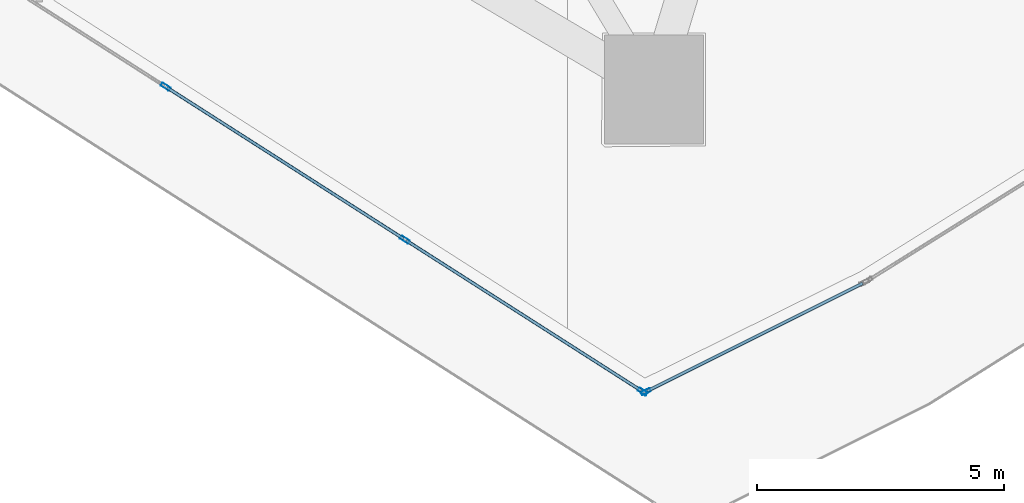
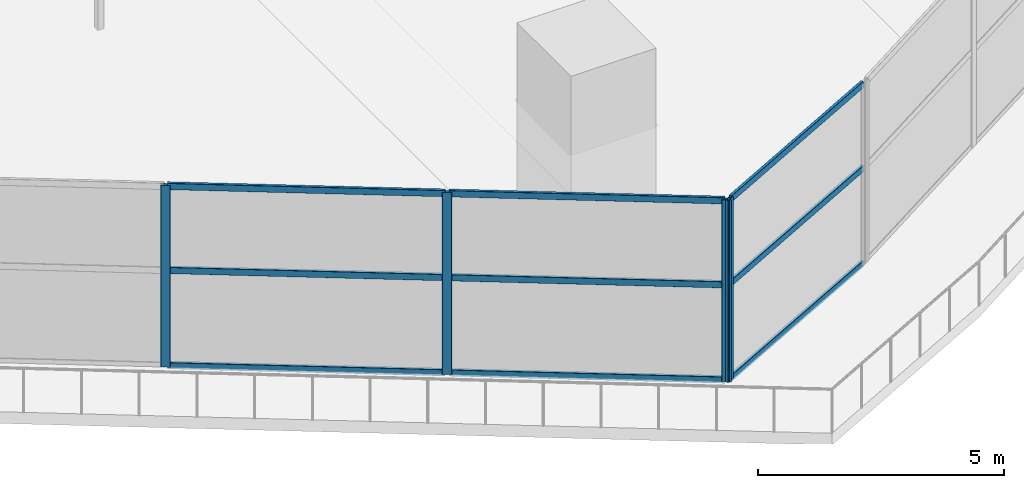
# One storey, part 5 of 42: 13 members, 2 elements without a shape of their own.
"""IFC4 building model written with IfcOpenShell, lengths in metres."""

import ifcopenshell
import ifcopenshell.guid

model = None  # the IFC model being written
_history = None  # IfcOwnerHistory: only IFC2X3 demands one
_inside = {}  # id of a spatial element -> (the spatial element, [elements in it])
_under = {}  # id of a project, library or spatial element -> (it, [spatial elements below it])
_declared = {}  # id of a project -> (the project, [libraries it declares])
_typed = {}  # id of a type object -> (the type object, [elements of that type])
_made_of = {}  # id of a material, layer set ... -> (it, [elements and type objects made of it])


def new_model(schema):
    """Start an empty IFC model of exactly this schema.

    Asked for "IFC4X3", IfcOpenShell would pick the latest addendum, in which some entities
    have other attributes; the version numbers below select the first issue.
    IFC2X3 requires an IfcOwnerHistory on every rooted entity: one is made here for all.
    """
    global model, _history
    if schema == "IFC4X3":
        model = ifcopenshell.file(schema_version=(4, 3, 0, 0))
    else:
        model = ifcopenshell.file(schema=schema)
    _inside.clear()
    _under.clear()
    _declared.clear()
    _typed.clear()
    _made_of.clear()
    _history = None
    if model.schema == "IFC2X3":
        org = make("IfcOrganization", Name="unknown")
        user = make(
            "IfcPersonAndOrganization",
            ThePerson=make("IfcPerson", FamilyName="unknown"),
            TheOrganization=org,
        )
        app = make(
            "IfcApplication",
            ApplicationDeveloper=org,
            Version="unknown",
            ApplicationFullName="unknown",
            ApplicationIdentifier="unknown",
        )
        _history = make(
            "IfcOwnerHistory",
            OwningUser=user,
            OwningApplication=app,
            ChangeAction="ADDED",
            CreationDate=0,
        )
    return model


def make(cls, **values):
    """One entity of the class cls with the attributes given. An attribute that is None is left unset."""
    return model.create_entity(
        cls, **{name: value for name, value in values.items() if value is not None}
    )


def rooted(cls, **values):
    """An entity with a GlobalId (a new one), such as an element, a storey or a relation."""
    return make(cls, GlobalId=ifcopenshell.guid.new(), OwnerHistory=_history, **values)


def si_unit(unit_type, name, prefix=None):
    """IfcSIUnit, for example si_unit("LENGTHUNIT", "METRE", prefix="MILLI")."""
    return make("IfcSIUnit", UnitType=unit_type, Prefix=prefix, Name=name)


def assignment(units):
    """IfcUnitAssignment: the units of a project."""
    return None if units is None else make("IfcUnitAssignment", Units=units)


def point(xyz):
    """IfcCartesianPoint."""
    return None if xyz is None else make("IfcCartesianPoint", Coordinates=xyz)


def direction(xyz):
    """IfcDirection."""
    return None if xyz is None else make("IfcDirection", DirectionRatios=xyz)


def frame(location, z_axis=None, x_axis=None):
    """IfcAxis2Placement3D, a coordinate frame: its origin and axes. An axis left out is left unset."""
    return make(
        "IfcAxis2Placement3D",
        Location=point(location),
        Axis=direction(z_axis),
        RefDirection=direction(x_axis),
    )


def frame_2d(location, x_axis=None):
    """IfcAxis2Placement2D, a coordinate frame in the plane: its origin and x axis."""
    return make(
        "IfcAxis2Placement2D", Location=point(location), RefDirection=direction(x_axis)
    )


def origin():
    """The frame at (0, 0, 0) with its axes left unset."""
    return frame((0.0, 0.0, 0.0))


def origin_2d():
    """The frame at (0, 0) in the plane with its x axis left unset."""
    return frame_2d((0.0, 0.0))


def place(relative_to, where):
    """IfcLocalPlacement: puts the frame where relative to a parent placement (None: the world)."""
    return make(
        "IfcLocalPlacement", PlacementRelTo=relative_to, RelativePlacement=where
    )


def context(
    kind, dimensions, precision=None, world=None, true_north=None, identifier=None
):
    """IfcGeometricRepresentationContext, for example the 3D "Model" context."""
    return make(
        "IfcGeometricRepresentationContext",
        ContextIdentifier=identifier,
        ContextType=kind,
        CoordinateSpaceDimension=dimensions,
        Precision=precision,
        WorldCoordinateSystem=world,
        TrueNorth=true_north,
    )


def subcontext(parent, identifier, kind, view, scale=None):
    """IfcGeometricRepresentationSubContext, for example "Body" below "Model"."""
    return make(
        "IfcGeometricRepresentationSubContext",
        ContextIdentifier=identifier,
        ContextType=kind,
        ParentContext=parent,
        TargetScale=scale,
        TargetView=view,
    )


def project(units=None, contexts=None):
    """IfcProject with its units and contexts."""
    return rooted(
        "IfcProject",
        Name="project",
        RepresentationContexts=contexts,
        UnitsInContext=assignment(units),
    )


def spatial(cls, under=None, at=None, **own):
    """A site, building, storey or space (cls), placed at a placement, below another one or the project."""
    s = rooted(cls, ObjectPlacement=at, **own)
    if under is not None:
        _under.setdefault(under.id(), (under, []))[1].append(s)
    return s


def profile(cls, at=None, kind="AREA", **sizes):
    """A parametric profile (cls). Its sizes go by their IFC names, for example OverallWidth=200.0."""
    return make(cls, ProfileType=kind, Position=at, **sizes)


def hollow_rectangle(**sizes):
    """IfcRectangleHollowProfileDef."""
    return profile("IfcRectangleHollowProfileDef", **sizes)


def extrude(swept, where, along, depth):
    """IfcExtrudedAreaSolid: the profile swept, set in the frame where, extruded along a direction by depth."""
    return make(
        "IfcExtrudedAreaSolid",
        SweptArea=swept,
        Position=where,
        ExtrudedDirection=direction(along),
        Depth=depth,
    )


def shape(context_of_items, identifier, shape_type, items):
    """IfcShapeRepresentation: the items that make up one representation, for example the "Body"."""
    return make(
        "IfcShapeRepresentation",
        ContextOfItems=context_of_items,
        RepresentationIdentifier=identifier,
        RepresentationType=shape_type,
        Items=items,
    )


def material(Name=None, Category=None):
    """IfcMaterial."""
    return make("IfcMaterial", Name=Name, Category=Category)


def layer(
    of_material, thickness, ventilated=None, Name=None, Category=None, Priority=None
):
    """IfcMaterialLayer: one layer of a wall or slab, of a material (None: an air gap)."""
    return make(
        "IfcMaterialLayer",
        Material=of_material,
        LayerThickness=thickness,
        IsVentilated=ventilated,
        Name=Name,
        Category=Category,
        Priority=Priority,
    )


def layer_set(layers, Name=None):
    """IfcMaterialLayerSet."""
    return make("IfcMaterialLayerSet", MaterialLayers=layers, LayerSetName=Name)


def material_profile(
    of_material, cross_section, Name=None, Category=None, Priority=None
):
    """IfcMaterialProfile: a cross section and its material."""
    return make(
        "IfcMaterialProfile",
        Name=Name,
        Material=of_material,
        Profile=cross_section,
        Priority=Priority,
        Category=Category,
    )


def profile_set(profiles, Name=None, composite=None):
    """IfcMaterialProfileSet."""
    return make(
        "IfcMaterialProfileSet",
        Name=Name,
        MaterialProfiles=profiles,
        CompositeProfile=composite,
    )


def made_of(thing, what):
    """Note that an element or type object is made of a material, layer set ...; save() writes the relation."""
    if what is not None:
        _made_of.setdefault(what.id(), (what, []))[1].append(thing)
    return thing


def type_object(cls, material=None, **own):
    """A type object (cls), such as IfcWallType, which elements share."""
    return made_of(rooted(cls, **own), material)


def element(
    cls,
    number,
    at=None,
    inside=None,
    cuts=None,
    type_object=None,
    material=None,
    context=None,
    identifier="Body",
    shape_type=None,
    held_by="IfcProductDefinitionShape",
    body=None,
    shapes=None,
    **own,
):
    """One element of the class cls, such as IfcWall. Its Tag is "e" and its number.

    at: its placement. inside: the storey or other place that contains it. cuts: it is an
    opening in that element (IfcRelVoidsElement). A single representation is given by context,
    identifier, shape_type and body (its items); several are given by shapes. held_by: the class
    of the entity that holds the representations. save() writes the other relations.
    """
    e = rooted(cls, Tag="e%d" % number, ObjectPlacement=at, **own)
    if body is not None:
        shapes = [shape(context, identifier, shape_type, body)]
    if shapes is not None:
        e.Representation = make(held_by, Representations=shapes)
    if inside is not None:
        _inside.setdefault(inside.id(), (inside, []))[1].append(e)
    if cuts is not None:
        rooted(
            "IfcRelVoidsElement", RelatingBuildingElement=cuts, RelatedOpeningElement=e
        )
    if type_object is not None:
        _typed.setdefault(type_object.id(), (type_object, []))[1].append(e)
    return made_of(e, material)


def aggregate(whole, parts):
    """IfcRelAggregates: a whole, such as a stair, and the parts it consists of."""
    return rooted("IfcRelAggregates", RelatingObject=whole, RelatedObjects=parts)


def save(model, path):
    """Write the relations noted so far, then the file.

    IfcRelAggregates (storeys below a building ...), IfcRelContainedInSpatialStructure (elements
    in a storey), IfcRelDefinesByType, IfcRelAssociatesMaterial and IfcRelDeclares: one each for
    every whole, place, type object, material and project.
    """
    for whole, parts in _under.values():
        aggregate(whole, parts)
    for where, things in _inside.values():
        rooted(
            "IfcRelContainedInSpatialStructure",
            RelatedElements=things,
            RelatingStructure=where,
        )
    for kind, things in _typed.values():
        rooted("IfcRelDefinesByType", RelatedObjects=things, RelatingType=kind)
    for what, things in _made_of.values():
        rooted("IfcRelAssociatesMaterial", RelatedObjects=things, RelatingMaterial=what)
    for by, libraries in _declared.values():
        rooted("IfcRelDeclares", RelatingContext=by, RelatedDefinitions=libraries)
    model.write(path)


model = new_model("IFC4")

# Units and contexts
model_context = context("Model", 3, precision=1e-05, world=origin(), true_north=direction((0.0, 1.0)))
body_context = subcontext(model_context, "Body", "Model", "MODEL_VIEW")
ifc_project = project(units=[si_unit("LENGTHUNIT", "METRE"), si_unit("AREAUNIT", "SQUARE_METRE"), si_unit("VOLUMEUNIT", "CUBIC_METRE"), si_unit("PLANEANGLEUNIT", "RADIAN"), si_unit("MASSUNIT", "GRAM", prefix="KILO")], contexts=[model_context])

# Site, building, storey
site_placement = place(None, origin())
site = spatial("IfcSite", under=ifc_project, at=site_placement, CompositionType="ELEMENT")
building_placement = place(site_placement, origin())
building = spatial("IfcBuilding", under=site, at=building_placement, Name="Qorvath Tower", CompositionType="ELEMENT")
storey_placement = place(building_placement, frame((0.0, 0.0, 105.0)))
storey = spatial("IfcBuildingStorey", under=building, at=storey_placement, Name="L23", CompositionType="ELEMENT", Elevation=105.0)

# Curtain wall, members
ifc_material_1 = material(Name="Anodised aluminium and triple low-E glass", Category="aluminium")
ifc_layer = layer(ifc_material_1, 0.179931640625)
ifc_layer_set = layer_set([ifc_layer], Name="CW-SYS-5")
curtain_wall_type = type_object("IfcCurtainWallType", Name="CW-SYS-5", PredefinedType="NOTDEFINED", material=ifc_layer_set)
curtain_wall_1_placement = place(storey_placement, origin())
curtain_wall_1 = element("IfcCurtainWall", 1, at=curtain_wall_1_placement, inside=storey, type_object=curtain_wall_type, Name="Curtain Wall CW-5 CW-T-L23-2.2", PredefinedType="NOTDEFINED")
ifc_material_2 = material(Name="Anodised aluminium 6063-T6", Category="aluminium")
ifc_material_profile_1 = material_profile(ifc_material_2, hollow_rectangle(XDim=0.074951171875, YDim=0.199951171875, WallThickness=0.00390625, InnerFilletRadius=0.00390625, OuterFilletRadius=0.008056640625, at=origin_2d()), Name="CWM 200x75")
ifc_profile_set_1 = profile_set([ifc_material_profile_1], Name="Anodised aluminium 6063-T6")
member_type_1 = type_object("IfcMemberType", Name="CWM-200", PredefinedType="MULLION", material=ifc_profile_set_1)
member_1_placement = place(storey_placement, frame((-25.21240234375, -25.191162109375, 0.0), z_axis=(0.0, 0.0, 1.0), x_axis=(0.53854036508, 0.842599712307, 0.0)))
member_1 = element("IfcMember", 2, at=member_1_placement, type_object=member_type_1, Name="CW-5 mullion 3", PredefinedType="MULLION", context=body_context, shape_type="SweptSolid", body=[
    extrude(hollow_rectangle(XDim=0.074951171875, YDim=0.199951171875, WallThickness=0.00390625, InnerFilletRadius=0.00390625, OuterFilletRadius=0.008056640625, at=origin_2d()), origin(), (0.0, 0.0, 1.0), 4.52001953125),
])
member_2_placement = place(storey_placement, frame((-20.377685546875, -28.28125, 0.0), z_axis=(0.0, 0.0, 1.0), x_axis=(0.53854036508, 0.842599712307, 0.0)))
member_2 = element("IfcMember", 3, at=member_2_placement, type_object=member_type_1, Name="CW-5 mullion 4", PredefinedType="MULLION", context=body_context, shape_type="SweptSolid", body=[
    extrude(hollow_rectangle(XDim=0.074951171875, YDim=0.199951171875, WallThickness=0.00390625, InnerFilletRadius=0.00390625, OuterFilletRadius=0.008056640625, at=origin_2d()), origin(), (0.0, 0.0, 1.0), 4.52001953125),
])
member_3_placement = place(storey_placement, frame((-15.57470703125, -31.35107421875, 0.0), z_axis=(0.0, 0.0, 1.0), x_axis=(0.53854036508, 0.842599712307, 0.0)))
member_3 = element("IfcMember", 4, at=member_3_placement, type_object=member_type_1, Name="CW-5 mullion 5", PredefinedType="MULLION", context=body_context, shape_type="SweptSolid", body=[
    extrude(hollow_rectangle(XDim=0.074951171875, YDim=0.199951171875, WallThickness=0.00390625, InnerFilletRadius=0.00390625, OuterFilletRadius=0.008056640625, at=origin_2d()), origin(), (0.0, 0.0, 1.0), 4.52001953125),
])

# Curtain wall, member
curtain_wall_2_placement = place(storey_placement, origin())
curtain_wall_2 = element("IfcCurtainWall", 5, at=curtain_wall_2_placement, inside=storey, type_object=curtain_wall_type, Name="Curtain Wall CW-5 CW-T-L23-3.1", PredefinedType="NOTDEFINED")
member_4_placement = place(storey_placement, frame((-15.509521484375, -31.3544921875, 0.0), z_axis=(0.0, 0.0, 1.0), x_axis=(-0.447189646231, 0.894439165234, 0.0)))
member_4 = element("IfcMember", 6, at=member_4_placement, type_object=member_type_1, Name="CW-5 mullion 1", PredefinedType="MULLION", context=body_context, shape_type="SweptSolid", body=[
    extrude(hollow_rectangle(XDim=0.074951171875, YDim=0.199951171875, WallThickness=0.00390625, InnerFilletRadius=0.00390625, OuterFilletRadius=0.008056640625, at=origin_2d()), origin(), (0.0, 0.0, 1.0), 4.52001953125),
])

# Member
ifc_material_3 = material(Name="Anodised aluminium 6063-T6", Category="aluminium")
ifc_material_profile_2 = material_profile(ifc_material_3, hollow_rectangle(XDim=0.06494140625, YDim=0.159912109375, WallThickness=0.00341796875, InnerFilletRadius=0.00341796875, OuterFilletRadius=0.007080078125, at=origin_2d()), Name="CWT 160x65")
ifc_profile_set_2 = profile_set([ifc_material_profile_2], Name="Anodised aluminium 6063-T6")
member_type_2 = type_object("IfcMemberType", Name="CWT-160", PredefinedType="USERDEFINED", material=ifc_profile_set_2)
member_5_placement = place(storey_placement, frame((-25.1806640625, -25.21142578125, 0.032470703125), z_axis=(0.84260713949, -0.53852874434, 0.0), x_axis=(0.53852874434, 0.84260713949, 0.0)))
member_5 = element("IfcMember", 7, at=member_5_placement, type_object=member_type_2, Name="CW-5 transom 3.1", ObjectType="TRANSOM", PredefinedType="USERDEFINED", context=body_context, shape_type="SweptSolid", body=[
    extrude(hollow_rectangle(XDim=0.06494140625, YDim=0.159912109375, WallThickness=0.00341796875, InnerFilletRadius=0.00341796875, OuterFilletRadius=0.007080078125, at=origin_2d()), origin(), (0.0, 0.0, 1.0), 5.662841796875),
])

member_6_placement = place(storey_placement, frame((-25.1806640625, -25.21142578125, 2.39990234375), z_axis=(0.84260713949, -0.53852874434, 0.0), x_axis=(0.53852874434, 0.84260713949, 0.0)))
member_6 = element("IfcMember", 8, at=member_6_placement, type_object=member_type_2, Name="CW-5 transom 3.2", ObjectType="TRANSOM", PredefinedType="USERDEFINED", context=body_context, shape_type="SweptSolid", body=[
    extrude(hollow_rectangle(XDim=0.06494140625, YDim=0.159912109375, WallThickness=0.00341796875, InnerFilletRadius=0.00341796875, OuterFilletRadius=0.007080078125, at=origin_2d()), origin(), (0.0, 0.0, 1.0), 5.662841796875),
])

member_7_placement = place(storey_placement, frame((-25.1806640625, -25.21142578125, 4.487548828125), z_axis=(0.84260713949, -0.53852874434, 0.0), x_axis=(0.53852874434, 0.84260713949, 0.0)))
member_7 = element("IfcMember", 9, at=member_7_placement, type_object=member_type_2, Name="CW-5 transom 3.3", ObjectType="TRANSOM", PredefinedType="USERDEFINED", context=body_context, shape_type="SweptSolid", body=[
    extrude(hollow_rectangle(XDim=0.06494140625, YDim=0.159912109375, WallThickness=0.00341796875, InnerFilletRadius=0.00341796875, OuterFilletRadius=0.007080078125, at=origin_2d()), origin(), (0.0, 0.0, 1.0), 5.662841796875),
])

member_8_placement = place(storey_placement, frame((-20.345947265625, -28.301513671875, 0.032470703125), z_axis=(0.842605448571, -0.538531390021, 0.0), x_axis=(0.538531390021, 0.842605448571, 0.0)))
member_8 = element("IfcMember", 10, at=member_8_placement, type_object=member_type_2, Name="CW-5 transom 4.1", ObjectType="TRANSOM", PredefinedType="USERDEFINED", context=body_context, shape_type="SweptSolid", body=[
    extrude(hollow_rectangle(XDim=0.06494140625, YDim=0.159912109375, WallThickness=0.00341796875, InnerFilletRadius=0.00341796875, OuterFilletRadius=0.007080078125, at=origin_2d()), origin(), (0.0, 0.0, 1.0), 5.625),
])

member_9_placement = place(storey_placement, frame((-20.345947265625, -28.301513671875, 2.39990234375), z_axis=(0.842605448571, -0.538531390021, 0.0), x_axis=(0.538531390021, 0.842605448571, 0.0)))
member_9 = element("IfcMember", 11, at=member_9_placement, type_object=member_type_2, Name="CW-5 transom 4.2", ObjectType="TRANSOM", PredefinedType="USERDEFINED", context=body_context, shape_type="SweptSolid", body=[
    extrude(hollow_rectangle(XDim=0.06494140625, YDim=0.159912109375, WallThickness=0.00341796875, InnerFilletRadius=0.00341796875, OuterFilletRadius=0.007080078125, at=origin_2d()), origin(), (0.0, 0.0, 1.0), 5.625),
])

member_10_placement = place(storey_placement, frame((-20.345947265625, -28.301513671875, 4.487548828125), z_axis=(0.842605448571, -0.538531390021, 0.0), x_axis=(0.538531390021, 0.842605448571, 0.0)))
member_10 = element("IfcMember", 12, at=member_10_placement, type_object=member_type_2, Name="CW-5 transom 4.3", ObjectType="TRANSOM", PredefinedType="USERDEFINED", context=body_context, shape_type="SweptSolid", body=[
    extrude(hollow_rectangle(XDim=0.06494140625, YDim=0.159912109375, WallThickness=0.00341796875, InnerFilletRadius=0.00341796875, OuterFilletRadius=0.007080078125, at=origin_2d()), origin(), (0.0, 0.0, 1.0), 5.625),
])

aggregate(curtain_wall_1, [member_1, member_2, member_3, member_5, member_6, member_7, member_8, member_9, member_10])

member_11_placement = place(storey_placement, frame((-15.475830078125, -31.337646484375, 0.032470703125), z_axis=(0.89443723668, 0.447193503575, 0.0), x_axis=(-0.447193503575, 0.89443723668, 0.0)))
member_11 = element("IfcMember", 13, at=member_11_placement, type_object=member_type_2, Name="CW-5 transom 1.1", ObjectType="TRANSOM", PredefinedType="USERDEFINED", context=body_context, shape_type="SweptSolid", body=[
    extrude(hollow_rectangle(XDim=0.06494140625, YDim=0.159912109375, WallThickness=0.00341796875, InnerFilletRadius=0.00341796875, OuterFilletRadius=0.007080078125, at=origin_2d()), origin(), (0.0, 0.0, 1.0), 4.860595703125),
])

member_12_placement = place(storey_placement, frame((-15.475830078125, -31.337646484375, 2.39990234375), z_axis=(0.89443723668, 0.447193503575, 0.0), x_axis=(-0.447193503575, 0.89443723668, 0.0)))
member_12 = element("IfcMember", 14, at=member_12_placement, type_object=member_type_2, Name="CW-5 transom 1.2", ObjectType="TRANSOM", PredefinedType="USERDEFINED", context=body_context, shape_type="SweptSolid", body=[
    extrude(hollow_rectangle(XDim=0.06494140625, YDim=0.159912109375, WallThickness=0.00341796875, InnerFilletRadius=0.00341796875, OuterFilletRadius=0.007080078125, at=origin_2d()), origin(), (0.0, 0.0, 1.0), 4.860595703125),
])

member_13_placement = place(storey_placement, frame((-15.475830078125, -31.337646484375, 4.487548828125), z_axis=(0.89443723668, 0.447193503575, 0.0), x_axis=(-0.447193503575, 0.89443723668, 0.0)))
member_13 = element("IfcMember", 15, at=member_13_placement, type_object=member_type_2, Name="CW-5 transom 1.3", ObjectType="TRANSOM", PredefinedType="USERDEFINED", context=body_context, shape_type="SweptSolid", body=[
    extrude(hollow_rectangle(XDim=0.06494140625, YDim=0.159912109375, WallThickness=0.00341796875, InnerFilletRadius=0.00341796875, OuterFilletRadius=0.007080078125, at=origin_2d()), origin(), (0.0, 0.0, 1.0), 4.860595703125),
])

aggregate(curtain_wall_2, [member_4, member_11, member_12, member_13])

save(model, "model.ifc")
